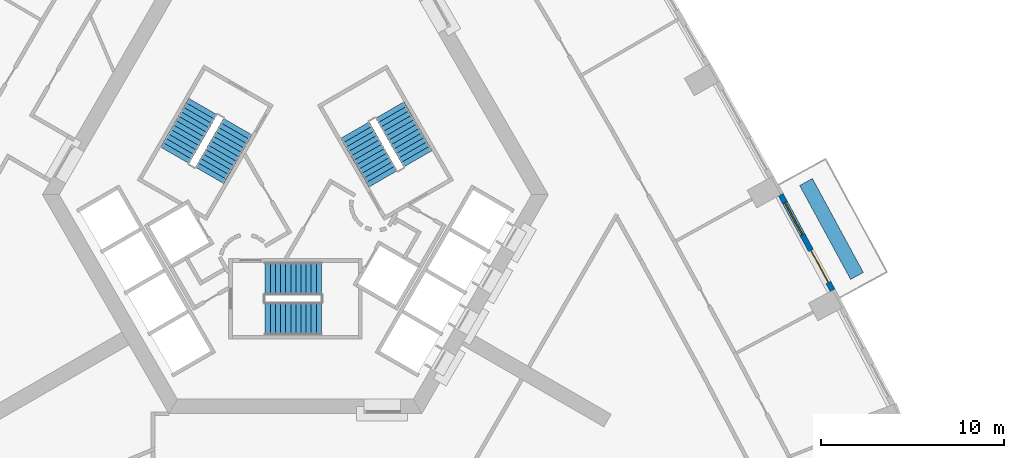
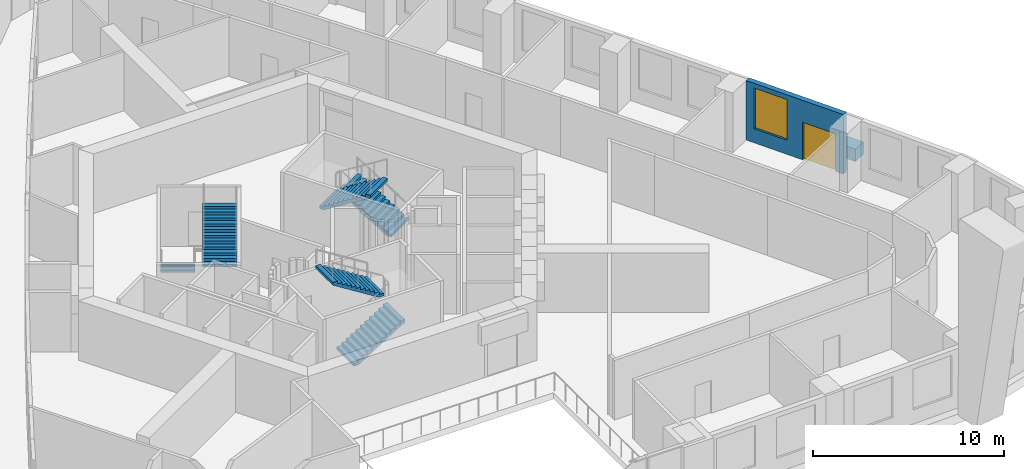
# One storey, part 11 of 15: 6 stair flights, 2 walls, 1 door, 1 window, 2 openings, 3 elements without a shape of their own.
"""IFC4 building model written with IfcOpenShell, lengths in metres."""

import ifcopenshell
import ifcopenshell.guid

model = None  # the IFC model being written
_history = None  # IfcOwnerHistory: only IFC2X3 demands one
_inside = {}  # id of a spatial element -> (the spatial element, [elements in it])
_under = {}  # id of a project, library or spatial element -> (it, [spatial elements below it])
_declared = {}  # id of a project -> (the project, [libraries it declares])
_typed = {}  # id of a type object -> (the type object, [elements of that type])
_made_of = {}  # id of a material, layer set ... -> (it, [elements and type objects made of it])


def new_model(schema):
    """Start an empty IFC model of exactly this schema.

    Asked for "IFC4X3", IfcOpenShell would pick the latest addendum, in which some entities
    have other attributes; the version numbers below select the first issue.
    IFC2X3 requires an IfcOwnerHistory on every rooted entity: one is made here for all.
    """
    global model, _history
    if schema == "IFC4X3":
        model = ifcopenshell.file(schema_version=(4, 3, 0, 0))
    else:
        model = ifcopenshell.file(schema=schema)
    _inside.clear()
    _under.clear()
    _declared.clear()
    _typed.clear()
    _made_of.clear()
    _history = None
    if model.schema == "IFC2X3":
        org = make("IfcOrganization", Name="unknown")
        user = make(
            "IfcPersonAndOrganization",
            ThePerson=make("IfcPerson", FamilyName="unknown"),
            TheOrganization=org,
        )
        app = make(
            "IfcApplication",
            ApplicationDeveloper=org,
            Version="unknown",
            ApplicationFullName="unknown",
            ApplicationIdentifier="unknown",
        )
        _history = make(
            "IfcOwnerHistory",
            OwningUser=user,
            OwningApplication=app,
            ChangeAction="ADDED",
            CreationDate=0,
        )
    return model


def make(cls, **values):
    """One entity of the class cls with the attributes given. An attribute that is None is left unset."""
    return model.create_entity(
        cls, **{name: value for name, value in values.items() if value is not None}
    )


def rooted(cls, **values):
    """An entity with a GlobalId (a new one), such as an element, a storey or a relation."""
    return make(cls, GlobalId=ifcopenshell.guid.new(), OwnerHistory=_history, **values)


def si_unit(unit_type, name, prefix=None):
    """IfcSIUnit, for example si_unit("LENGTHUNIT", "METRE", prefix="MILLI")."""
    return make("IfcSIUnit", UnitType=unit_type, Prefix=prefix, Name=name)


def assignment(units):
    """IfcUnitAssignment: the units of a project."""
    return None if units is None else make("IfcUnitAssignment", Units=units)


def point(xyz):
    """IfcCartesianPoint."""
    return None if xyz is None else make("IfcCartesianPoint", Coordinates=xyz)


def direction(xyz):
    """IfcDirection."""
    return None if xyz is None else make("IfcDirection", DirectionRatios=xyz)


def frame(location, z_axis=None, x_axis=None):
    """IfcAxis2Placement3D, a coordinate frame: its origin and axes. An axis left out is left unset."""
    return make(
        "IfcAxis2Placement3D",
        Location=point(location),
        Axis=direction(z_axis),
        RefDirection=direction(x_axis),
    )


def frame_2d(location, x_axis=None):
    """IfcAxis2Placement2D, a coordinate frame in the plane: its origin and x axis."""
    return make(
        "IfcAxis2Placement2D", Location=point(location), RefDirection=direction(x_axis)
    )


def origin():
    """The frame at (0, 0, 0) with its axes left unset."""
    return frame((0.0, 0.0, 0.0))


def place(relative_to, where):
    """IfcLocalPlacement: puts the frame where relative to a parent placement (None: the world)."""
    return make(
        "IfcLocalPlacement", PlacementRelTo=relative_to, RelativePlacement=where
    )


def context(
    kind, dimensions, precision=None, world=None, true_north=None, identifier=None
):
    """IfcGeometricRepresentationContext, for example the 3D "Model" context."""
    return make(
        "IfcGeometricRepresentationContext",
        ContextIdentifier=identifier,
        ContextType=kind,
        CoordinateSpaceDimension=dimensions,
        Precision=precision,
        WorldCoordinateSystem=world,
        TrueNorth=true_north,
    )


def subcontext(parent, identifier, kind, view, scale=None):
    """IfcGeometricRepresentationSubContext, for example "Body" below "Model"."""
    return make(
        "IfcGeometricRepresentationSubContext",
        ContextIdentifier=identifier,
        ContextType=kind,
        ParentContext=parent,
        TargetScale=scale,
        TargetView=view,
    )


def project(units=None, contexts=None):
    """IfcProject with its units and contexts."""
    return rooted(
        "IfcProject",
        Name="project",
        RepresentationContexts=contexts,
        UnitsInContext=assignment(units),
    )


def spatial(cls, under=None, at=None, **own):
    """A site, building, storey or space (cls), placed at a placement, below another one or the project."""
    s = rooted(cls, ObjectPlacement=at, **own)
    if under is not None:
        _under.setdefault(under.id(), (under, []))[1].append(s)
    return s


def polyline(points):
    """IfcPolyline through the points."""
    return make("IfcPolyline", Points=[point(p) for p in points])


def profile(cls, at=None, kind="AREA", **sizes):
    """A parametric profile (cls). Its sizes go by their IFC names, for example OverallWidth=200.0."""
    return make(cls, ProfileType=kind, Position=at, **sizes)


def rectangle(**sizes):
    """IfcRectangleProfileDef."""
    return profile("IfcRectangleProfileDef", **sizes)


def outline(outer, holes=None, kind="AREA"):
    """IfcArbitraryClosedProfileDef: a profile drawn as a closed curve; with holes, ...WithVoids."""
    if holes is None:
        return make("IfcArbitraryClosedProfileDef", ProfileType=kind, OuterCurve=outer)
    return make(
        "IfcArbitraryProfileDefWithVoids",
        ProfileType=kind,
        OuterCurve=outer,
        InnerCurves=holes,
    )


def extrude(swept, where, along, depth):
    """IfcExtrudedAreaSolid: the profile swept, set in the frame where, extruded along a direction by depth."""
    return make(
        "IfcExtrudedAreaSolid",
        SweptArea=swept,
        Position=where,
        ExtrudedDirection=direction(along),
        Depth=depth,
    )


def shape(context_of_items, identifier, shape_type, items):
    """IfcShapeRepresentation: the items that make up one representation, for example the "Body"."""
    return make(
        "IfcShapeRepresentation",
        ContextOfItems=context_of_items,
        RepresentationIdentifier=identifier,
        RepresentationType=shape_type,
        Items=items,
    )


def material(Name=None, Category=None):
    """IfcMaterial."""
    return make("IfcMaterial", Name=Name, Category=Category)


def layer(
    of_material, thickness, ventilated=None, Name=None, Category=None, Priority=None
):
    """IfcMaterialLayer: one layer of a wall or slab, of a material (None: an air gap)."""
    return make(
        "IfcMaterialLayer",
        Material=of_material,
        LayerThickness=thickness,
        IsVentilated=ventilated,
        Name=Name,
        Category=Category,
        Priority=Priority,
    )


def layer_set(layers, Name=None):
    """IfcMaterialLayerSet."""
    return make("IfcMaterialLayerSet", MaterialLayers=layers, LayerSetName=Name)


def made_of(thing, what):
    """Note that an element or type object is made of a material, layer set ...; save() writes the relation."""
    if what is not None:
        _made_of.setdefault(what.id(), (what, []))[1].append(thing)
    return thing


def type_object(cls, material=None, **own):
    """A type object (cls), such as IfcWallType, which elements share."""
    return made_of(rooted(cls, **own), material)


def element(
    cls,
    number,
    at=None,
    inside=None,
    cuts=None,
    type_object=None,
    material=None,
    context=None,
    identifier="Body",
    shape_type=None,
    held_by="IfcProductDefinitionShape",
    body=None,
    shapes=None,
    **own,
):
    """One element of the class cls, such as IfcWall. Its Tag is "e" and its number.

    at: its placement. inside: the storey or other place that contains it. cuts: it is an
    opening in that element (IfcRelVoidsElement). A single representation is given by context,
    identifier, shape_type and body (its items); several are given by shapes. held_by: the class
    of the entity that holds the representations. save() writes the other relations.
    """
    e = rooted(cls, Tag="e%d" % number, ObjectPlacement=at, **own)
    if body is not None:
        shapes = [shape(context, identifier, shape_type, body)]
    if shapes is not None:
        e.Representation = make(held_by, Representations=shapes)
    if inside is not None:
        _inside.setdefault(inside.id(), (inside, []))[1].append(e)
    if cuts is not None:
        rooted(
            "IfcRelVoidsElement", RelatingBuildingElement=cuts, RelatedOpeningElement=e
        )
    if type_object is not None:
        _typed.setdefault(type_object.id(), (type_object, []))[1].append(e)
    return made_of(e, material)


def fill(opening, filler):
    """IfcRelFillsElement: the door or window that sits in an opening."""
    return rooted(
        "IfcRelFillsElement",
        RelatingOpeningElement=opening,
        RelatedBuildingElement=filler,
    )


def aggregate(whole, parts):
    """IfcRelAggregates: a whole, such as a stair, and the parts it consists of."""
    return rooted("IfcRelAggregates", RelatingObject=whole, RelatedObjects=parts)


def save(model, path):
    """Write the relations noted so far, then the file.

    IfcRelAggregates (storeys below a building ...), IfcRelContainedInSpatialStructure (elements
    in a storey), IfcRelDefinesByType, IfcRelAssociatesMaterial and IfcRelDeclares: one each for
    every whole, place, type object, material and project.
    """
    for whole, parts in _under.values():
        aggregate(whole, parts)
    for where, things in _inside.values():
        rooted(
            "IfcRelContainedInSpatialStructure",
            RelatedElements=things,
            RelatingStructure=where,
        )
    for kind, things in _typed.values():
        rooted("IfcRelDefinesByType", RelatedObjects=things, RelatingType=kind)
    for what, things in _made_of.values():
        rooted("IfcRelAssociatesMaterial", RelatedObjects=things, RelatingMaterial=what)
    for by, libraries in _declared.values():
        rooted("IfcRelDeclares", RelatingContext=by, RelatedDefinitions=libraries)
    model.write(path)


model = new_model("IFC4")

# Units and contexts
model_context = context("Model", 3, precision=1e-05, world=origin(), true_north=direction((0.0, 1.0)))
body_context = subcontext(model_context, "Body", "Model", "MODEL_VIEW")
ifc_project = project(units=[si_unit("LENGTHUNIT", "METRE"), si_unit("AREAUNIT", "SQUARE_METRE"), si_unit("VOLUMEUNIT", "CUBIC_METRE"), si_unit("PLANEANGLEUNIT", "RADIAN"), si_unit("MASSUNIT", "GRAM", prefix="KILO")], contexts=[model_context])

# Site, building, storey
site_placement = place(None, origin())
site = spatial("IfcSite", under=ifc_project, at=site_placement, CompositionType="ELEMENT")
building_placement = place(site_placement, origin())
building = spatial("IfcBuilding", under=site, at=building_placement, Name="Entoto Arch Interchange Tower", CompositionType="ELEMENT")
storey_placement = place(building_placement, frame((0.0, 0.0, 150.800048828125)))
storey = spatial("IfcBuildingStorey", under=building, at=storey_placement, Name="L33", CompositionType="ELEMENT", Elevation=150.800048828125)

# Wall
ifc_material_1 = material(Name="Board-marked precast concrete C50/60", Category="concrete")
ifc_layer_1 = layer(ifc_material_1, 0.800048828125)
ifc_layer_set_1 = layer_set([ifc_layer_1], Name="Board-marked precast concrete C50/60")
wall_type_1 = type_object("IfcWallType", Name="PLANTER RC 800 Hagenia abyssinica", PredefinedType="STANDARD", material=ifc_layer_set_1)
wall_1_placement = place(storey_placement, frame((30.77197265625, -1.952880859375, 0.0), z_axis=(0.0, 0.0, 1.0), x_axis=(-0.476806707813, 0.87900817026, 0.0)))
element("IfcWall", 1, at=wall_1_placement, inside=storey, type_object=wall_type_1, Name="Planter NE-02 L33", PredefinedType="STANDARD", context=body_context, shape_type="SweptSolid", body=[
    extrude(rectangle(XDim=5.857666015625, YDim=0.800048828125, at=frame_2d((2.9287109375, 0.0))), origin(), (0.0, 0.0, 1.0), 0.800048828125),
])

# Wall, openings, door, window
ifc_material_2 = material(Name="Welded tuff (ignimbrite) cladding, warm buff", Category="masonry")
ifc_layer_2 = layer(ifc_material_2, 0.300048828125)
ifc_layer_set_2 = layer_set([ifc_layer_2], Name="Welded tuff (ignimbrite) cladding, warm buff")
wall_type_2 = type_object("IfcWallType", Name="STONE INFILL WALL 300", PredefinedType="STANDARD", material=ifc_layer_set_2)
wall_2_placement = place(storey_placement, frame((29.43408203125, -2.736083984375, 0.0), z_axis=(0.0, 0.0, 1.0), x_axis=(-0.476970695077, 0.878919197673, 0.0)))
wall_2 = element("IfcWall", 2, at=wall_2_placement, inside=storey, type_object=wall_type_2, Name="Facade wall NE-02 L33", PredefinedType="STANDARD", context=body_context, shape_type="SweptSolid", body=[
    extrude(rectangle(XDim=5.95849609375, YDim=0.300048828125, at=frame_2d((2.979248046875, 0.0))), origin(), (0.0, 0.0, 1.0), 3.800048828125),
])
opening_1_placement = place(wall_2_placement, frame((0.489990234375, 0.0, 0.0)))
opening_1 = element("IfcOpeningElement", 3, at=opening_1_placement, cuts=wall_2, Name="Opening DB-NE-02-L33", PredefinedType="OPENING", context=body_context, shape_type="SweptSolid", body=[
    extrude(rectangle(XDim=2.0, YDim=2.39990234375, at=frame_2d((1.0, 1.199951171875))), frame((0.0, 0.16015625, 0.0), z_axis=(0.0, -1.0, 0.0), x_axis=(1.0, 0.0, 0.0)), (0.0, 0.0, 1.0), 0.320068359375),
])
opening_2_placement = place(wall_2_placement, frame((3.468994140625, 0.0, 0.89990234375)))
opening_2 = element("IfcOpeningElement", 4, at=opening_2_placement, cuts=wall_2, Name="Opening WO-C", PredefinedType="OPENING", context=body_context, shape_type="SweptSolid", body=[
    extrude(rectangle(XDim=2.0, YDim=2.60009765625, at=frame_2d((1.0, 1.300048828125))), frame((0.0, 0.16015625, 0.0), z_axis=(0.0, -1.0, 0.0), x_axis=(1.0, 0.0, 0.0)), (0.0, 0.0, 1.0), 0.320068359375),
])
ifc_material_3 = material(Name="Aluminium and clear glass, anodised", Category="aluminium")
door_type = type_object("IfcDoorType", Name="BALCONY DOOR DB 2000x2400", OperationType="SLIDING_TO_LEFT", PredefinedType="DOOR", material=ifc_material_3)
door_placement = place(opening_1_placement, origin())
door = element("IfcDoor", 5, at=door_placement, inside=storey, type_object=door_type, Name="Balcony door NE-02 L33", OperationType="SLIDING_TO_LEFT", OverallHeight=2.39990234375, OverallWidth=2.0, PredefinedType="DOOR", context=body_context, shape_type="SweptSolid", body=[
    extrude(rectangle(XDim=2.0, YDim=2.39990234375, at=frame_2d((1.0, 1.199951171875))), frame((0.0, 0.02490234375, 0.0), z_axis=(0.0, -1.0, 0.0), x_axis=(1.0, 0.0, 0.0)), (0.0, 0.0, 1.0), 0.050048828125),
])
fill(opening_1, door)
ifc_material_4 = material(Name="Clear glass, low-e double glazed", Category="glass")
window_type = type_object("IfcWindowType", Name="WINDOW WO-C 2000x2600", PartitioningType="DOUBLE_PANEL_VERTICAL", PredefinedType="WINDOW", material=ifc_material_4)
window_placement = place(opening_2_placement, origin())
window = element("IfcWindow", 6, at=window_placement, inside=storey, type_object=window_type, Name="Window WO-C NE-02 L33", OverallHeight=2.60009765625, OverallWidth=2.0, PartitioningType="SINGLE_PANEL", PredefinedType="WINDOW", context=body_context, shape_type="SweptSolid", body=[
    extrude(rectangle(XDim=2.0, YDim=2.60009765625, at=frame_2d((1.0, 1.300048828125))), frame((0.0, 0.030029296875, 0.0), z_axis=(0.0, -1.0, 0.0), x_axis=(1.0, 0.0, 0.0)), (0.0, 0.0, 1.0), 0.06005859375),
])
fill(opening_2, window)

# Stair, stair flights
ifc_material_5 = material(Name="Concrete C40/50", Category="concrete")
stair_type = type_object("IfcStairType", Name="EXIT STAIR RC 1800", PredefinedType="HALF_TURN_STAIR", material=ifc_material_5)
stair_1_placement = place(storey_placement, origin())
stair_1 = element("IfcStair", 7, at=stair_1_placement, inside=storey, type_object=stair_type, Name="L33 Exit stair S", PredefinedType="HALF_TURN_STAIR")
stair_flight_type = type_object("IfcStairFlightType", Name="EXIT STAIR FLIGHT RC 1800", PredefinedType="STRAIGHT", material=ifc_material_5)
stair_flight_1_placement = place(storey_placement, frame((-1.64990234375, -4.300048828125, 0.0), z_axis=(0.0, 0.0, 1.0), x_axis=(1.0, 0.0, 0.0)))
stair_flight_1 = element("IfcStairFlight", 8, at=stair_flight_1_placement, type_object=stair_flight_type, Name="ST-S flight 1", NumberOfRisers=12, NumberOfTreads=11, PredefinedType="STRAIGHT", RiserHeight=0.175, TreadLength=0.28, context=body_context, shape_type="SweptSolid", body=[
    extrude(outline(polyline([(-0.0029296875, 0.0), (-0.0029296875, 0.175048828125), (0.280029296875, 0.175048828125), (0.280029296875, 0.35009765625), (0.56005859375, 0.35009765625), (0.56005859375, 0.52490234375), (0.840087890625, 0.52490234375), (0.840087890625, 0.699951171875), (1.1201171875, 0.699951171875), (1.1201171875, 0.875), (1.39990234375, 0.875), (1.39990234375, 1.050048828125), (1.679931640625, 1.050048828125), (1.679931640625, 1.22509765625), (1.9599609375, 1.22509765625), (1.9599609375, 1.39990234375), (2.239990234375, 1.39990234375), (2.239990234375, 1.574951171875), (2.52001953125, 1.574951171875), (2.52001953125, 1.75), (2.800048828125, 1.75), (2.800048828125, 1.925048828125), (3.080078125, 1.925048828125), (3.0830078125, 1.925048828125), (3.0830078125, 1.75), (0.28271484375, 0.0), (-0.0029296875, 0.0)])), frame((0.0, 0.89990234375, 0.0), z_axis=(0.0, -1.0, 0.0), x_axis=(1.0, 0.0, 0.0)), (0.0, 0.0, 1.0), 1.800048828125),
])
stair_flight_2_placement = place(storey_placement, frame((1.429931640625, -2.10009765625, 2.099853515625), z_axis=(0.0, 0.0, 1.0), x_axis=(-1.0, 0.0, 0.0)))
stair_flight_2 = element("IfcStairFlight", 9, at=stair_flight_2_placement, type_object=stair_flight_type, Name="ST-S flight 2", NumberOfRisers=12, NumberOfTreads=11, PredefinedType="STRAIGHT", RiserHeight=0.175, TreadLength=0.28, context=body_context, shape_type="SweptSolid", body=[
    extrude(outline(polyline([(-0.0029296875, 0.0), (-0.0029296875, 0.175048828125), (0.280029296875, 0.175048828125), (0.280029296875, 0.35009765625), (0.56005859375, 0.35009765625), (0.56005859375, 0.52490234375), (0.840087890625, 0.52490234375), (0.840087890625, 0.699951171875), (1.1201171875, 0.699951171875), (1.1201171875, 0.875), (1.39990234375, 0.875), (1.39990234375, 1.050048828125), (1.679931640625, 1.050048828125), (1.679931640625, 1.22509765625), (1.9599609375, 1.22509765625), (1.9599609375, 1.39990234375), (2.239990234375, 1.39990234375), (2.239990234375, 1.574951171875), (2.52001953125, 1.574951171875), (2.52001953125, 1.75), (2.800048828125, 1.75), (2.800048828125, 1.925048828125), (3.080078125, 1.925048828125), (3.0830078125, 1.925048828125), (3.0830078125, 1.75), (0.28271484375, 0.0), (-0.0029296875, 0.0)])), frame((0.0, 0.89990234375, 0.0), z_axis=(0.0, -1.0, 0.0), x_axis=(1.0, 0.0, 0.0)), (0.0, 0.0, 1.0), 1.800048828125),
])
aggregate(stair_1, [stair_flight_1, stair_flight_2])

stair_2_placement = place(storey_placement, origin())
stair_2 = element("IfcStair", 10, at=stair_2_placement, inside=storey, type_object=stair_type, Name="L33 Exit stair NE", PredefinedType="HALF_TURN_STAIR")
stair_flight_3_placement = place(storey_placement, frame((6.7138671875, 4.470947265625, 0.0), z_axis=(0.0, 0.0, 1.0), x_axis=(-0.5, 0.866025403784, 0.0)))
stair_flight_3 = element("IfcStairFlight", 11, at=stair_flight_3_placement, type_object=stair_flight_type, Name="ST-NE flight 1", NumberOfRisers=12, NumberOfTreads=11, PredefinedType="STRAIGHT", RiserHeight=0.175, TreadLength=0.28, context=body_context, shape_type="SweptSolid", body=[
    extrude(outline(polyline([(-0.0029296875, 0.0), (-0.0029296875, 0.175048828125), (0.280029296875, 0.175048828125), (0.280029296875, 0.35009765625), (0.56005859375, 0.35009765625), (0.56005859375, 0.52490234375), (0.840087890625, 0.52490234375), (0.840087890625, 0.699951171875), (1.1201171875, 0.699951171875), (1.1201171875, 0.875), (1.39990234375, 0.875), (1.39990234375, 1.050048828125), (1.679931640625, 1.050048828125), (1.679931640625, 1.22509765625), (1.9599609375, 1.22509765625), (1.9599609375, 1.39990234375), (2.239990234375, 1.39990234375), (2.239990234375, 1.574951171875), (2.52001953125, 1.574951171875), (2.52001953125, 1.75), (2.800048828125, 1.75), (2.800048828125, 1.925048828125), (3.080078125, 1.925048828125), (3.0830078125, 1.925048828125), (3.0830078125, 1.75), (0.28271484375, 0.0), (-0.0029296875, 0.0)])), frame((0.0, 0.89990234375, 0.0), z_axis=(0.0, -1.0, 0.0), x_axis=(1.0, 0.0, 0.0)), (0.0, 0.0, 1.0), 1.800048828125),
])
stair_flight_4_placement = place(storey_placement, frame((3.268798828125, 6.038330078125, 2.099853515625), z_axis=(0.0, 0.0, 1.0), x_axis=(0.5, -0.866025403784, 0.0)))
stair_flight_4 = element("IfcStairFlight", 12, at=stair_flight_4_placement, type_object=stair_flight_type, Name="ST-NE flight 2", NumberOfRisers=12, NumberOfTreads=11, PredefinedType="STRAIGHT", RiserHeight=0.175, TreadLength=0.28, context=body_context, shape_type="SweptSolid", body=[
    extrude(outline(polyline([(-0.0029296875, 0.0), (-0.0029296875, 0.175048828125), (0.280029296875, 0.175048828125), (0.280029296875, 0.35009765625), (0.56005859375, 0.35009765625), (0.56005859375, 0.52490234375), (0.840087890625, 0.52490234375), (0.840087890625, 0.699951171875), (1.1201171875, 0.699951171875), (1.1201171875, 0.875), (1.39990234375, 0.875), (1.39990234375, 1.050048828125), (1.679931640625, 1.050048828125), (1.679931640625, 1.22509765625), (1.9599609375, 1.22509765625), (1.9599609375, 1.39990234375), (2.239990234375, 1.39990234375), (2.239990234375, 1.574951171875), (2.52001953125, 1.574951171875), (2.52001953125, 1.75), (2.800048828125, 1.75), (2.800048828125, 1.925048828125), (3.080078125, 1.925048828125), (3.0830078125, 1.925048828125), (3.0830078125, 1.75), (0.28271484375, 0.0), (-0.0029296875, 0.0)])), frame((0.0, 0.89990234375, 0.0), z_axis=(0.0, -1.0, 0.0), x_axis=(1.0, 0.0, 0.0)), (0.0, 0.0, 1.0), 1.800048828125),
])
aggregate(stair_2, [stair_flight_3, stair_flight_4])

stair_3_placement = place(storey_placement, origin())
stair_3 = element("IfcStair", 13, at=stair_3_placement, inside=storey, type_object=stair_type, Name="L33 Exit stair NW", PredefinedType="HALF_TURN_STAIR")
stair_flight_5_placement = place(storey_placement, frame((-5.06396484375, 7.328857421875, 0.0), z_axis=(0.0, 0.0, 1.0), x_axis=(-0.5, -0.866025403784, 0.0)))
stair_flight_5 = element("IfcStairFlight", 14, at=stair_flight_5_placement, type_object=stair_flight_type, Name="ST-NW flight 1", NumberOfRisers=12, NumberOfTreads=11, PredefinedType="STRAIGHT", RiserHeight=0.175, TreadLength=0.28, context=body_context, shape_type="SweptSolid", body=[
    extrude(outline(polyline([(-0.0029296875, 0.0), (-0.0029296875, 0.175048828125), (0.280029296875, 0.175048828125), (0.280029296875, 0.35009765625), (0.56005859375, 0.35009765625), (0.56005859375, 0.52490234375), (0.840087890625, 0.52490234375), (0.840087890625, 0.699951171875), (1.1201171875, 0.699951171875), (1.1201171875, 0.875), (1.39990234375, 0.875), (1.39990234375, 1.050048828125), (1.679931640625, 1.050048828125), (1.679931640625, 1.22509765625), (1.9599609375, 1.22509765625), (1.9599609375, 1.39990234375), (2.239990234375, 1.39990234375), (2.239990234375, 1.574951171875), (2.52001953125, 1.574951171875), (2.52001953125, 1.75), (2.800048828125, 1.75), (2.800048828125, 1.925048828125), (3.080078125, 1.925048828125), (3.0830078125, 1.925048828125), (3.0830078125, 1.75), (0.28271484375, 0.0), (-0.0029296875, 0.0)])), frame((0.0, 0.89990234375, 0.0), z_axis=(0.0, -1.0, 0.0), x_axis=(1.0, 0.0, 0.0)), (0.0, 0.0, 1.0), 1.800048828125),
])
stair_flight_6_placement = place(storey_placement, frame((-4.69873046875, 3.5615234375, 2.099853515625), z_axis=(0.0, 0.0, 1.0), x_axis=(0.5, 0.866025403784, 0.0)))
stair_flight_6 = element("IfcStairFlight", 15, at=stair_flight_6_placement, type_object=stair_flight_type, Name="ST-NW flight 2", NumberOfRisers=12, NumberOfTreads=11, PredefinedType="STRAIGHT", RiserHeight=0.175, TreadLength=0.28, context=body_context, shape_type="SweptSolid", body=[
    extrude(outline(polyline([(-0.0029296875, 0.0), (-0.0029296875, 0.175048828125), (0.280029296875, 0.175048828125), (0.280029296875, 0.35009765625), (0.56005859375, 0.35009765625), (0.56005859375, 0.52490234375), (0.840087890625, 0.52490234375), (0.840087890625, 0.699951171875), (1.1201171875, 0.699951171875), (1.1201171875, 0.875), (1.39990234375, 0.875), (1.39990234375, 1.050048828125), (1.679931640625, 1.050048828125), (1.679931640625, 1.22509765625), (1.9599609375, 1.22509765625), (1.9599609375, 1.39990234375), (2.239990234375, 1.39990234375), (2.239990234375, 1.574951171875), (2.52001953125, 1.574951171875), (2.52001953125, 1.75), (2.800048828125, 1.75), (2.800048828125, 1.925048828125), (3.080078125, 1.925048828125), (3.0830078125, 1.925048828125), (3.0830078125, 1.75), (0.28271484375, 0.0), (-0.0029296875, 0.0)])), frame((0.0, 0.89990234375, 0.0), z_axis=(0.0, -1.0, 0.0), x_axis=(1.0, 0.0, 0.0)), (0.0, 0.0, 1.0), 1.800048828125),
])
aggregate(stair_3, [stair_flight_5, stair_flight_6])

save(model, "model.ifc")
